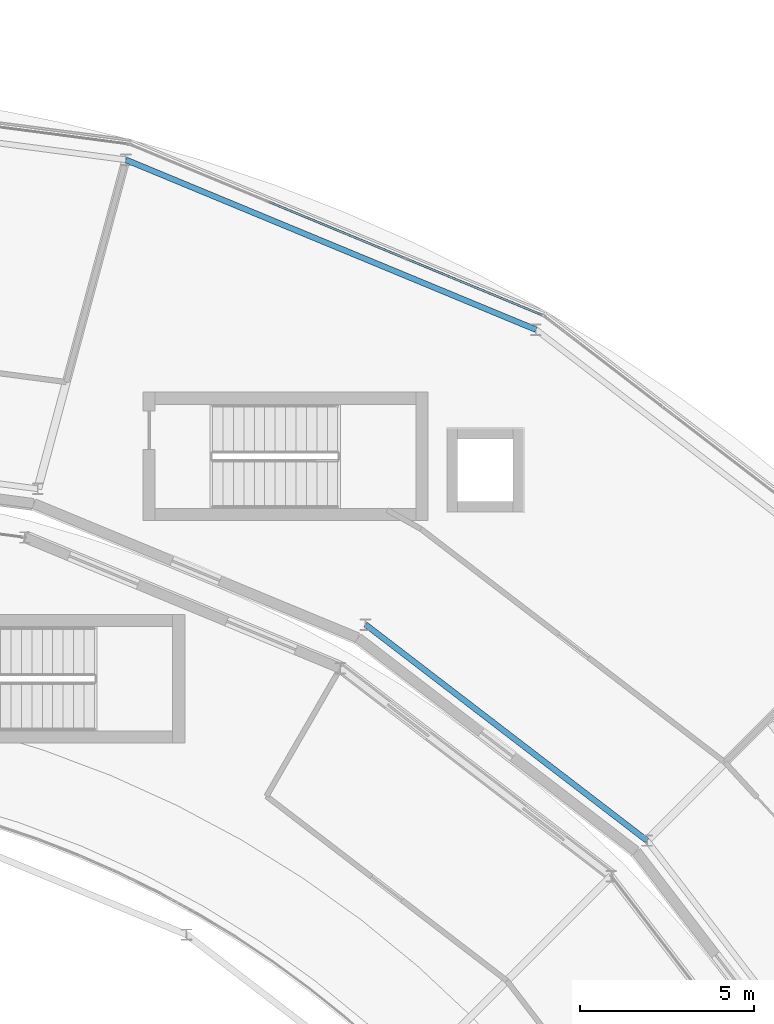
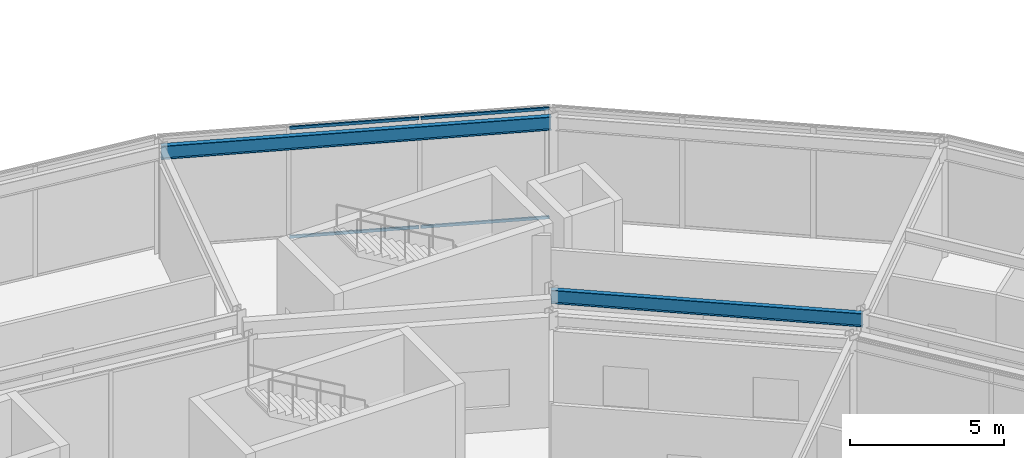
# One storey, part 72 of 133: 4 members, 2 beams, 1 element without a shape of its own.
"""IFC4 building model written with IfcOpenShell, lengths in metres."""

from ifc_helpers import new_model, si_unit, direction, frame, origin, origin_2d, place, context, subcontext, project, spatial, hollow_rectangle, i_section, extrude, material, material_profile, profile_set, type_object, element, aggregate, save


model = new_model("IFC4")

# Units and contexts
model_context = context("Model", 3, precision=1e-05, world=origin(), true_north=direction((0.0, 1.0)))
body_context = subcontext(model_context, "Body", "Model", "MODEL_VIEW")
ifc_project = project(units=[si_unit("LENGTHUNIT", "METRE"), si_unit("AREAUNIT", "SQUARE_METRE"), si_unit("VOLUMEUNIT", "CUBIC_METRE"), si_unit("PLANEANGLEUNIT", "RADIAN"), si_unit("MASSUNIT", "GRAM", prefix="KILO")], contexts=[model_context])

# Site, building, storey
site_placement = place(None, origin())
site = spatial("IfcSite", under=ifc_project, at=site_placement, CompositionType="ELEMENT")
building_placement = place(site_placement, origin())
building = spatial("IfcBuilding", under=site, at=building_placement, Name="Almandine Court Research Institute", CompositionType="ELEMENT")
storey_placement = place(building_placement, frame((0.0, 0.0, 9.800048828125)))
storey = spatial("IfcBuildingStorey", under=building, at=storey_placement, Name="L02", CompositionType="ELEMENT", Elevation=9.800048828125)

# Beams
ifc_material_1 = material(Name="Steel ASTM A992 Grade 50", Category="steel")
ifc_material_profile_1 = material_profile(ifc_material_1, i_section(OverallWidth=0.166015625, OverallDepth=0.534912109375, WebThickness=0.010009765625, FlangeThickness=0.01708984375, at=origin_2d()), Name="W530x85")
ifc_profile_set_1 = profile_set([ifc_material_profile_1], Name="Steel ASTM A992 Grade 50")
beam_type = type_object("IfcBeamType", Name="Beam-G-05-E", PredefinedType="SPANDREL", material=ifc_profile_set_1)
beam_1_placement = place(storey_placement, frame((114.64794921875, 83.64794921875, 4.10205078125), z_axis=(-0.793335653042, 0.608784478787, 0.0), x_axis=(-0.608784478787, -0.793335653042, 0.0)))
element("IfcBeam", 1, at=beam_1_placement, inside=storey, type_object=beam_type, Name="L02 Drum IN Ring Beam 03", PredefinedType="SPANDREL", context=body_context, shape_type="SweptSolid", body=[
    extrude(i_section(OverallWidth=0.166015625, OverallDepth=0.534912109375, WebThickness=0.010009765625, FlangeThickness=0.01708984375, at=origin_2d()), origin(), (0.0, 0.0, 1.0), 10.20751953125),
])
beam_2_placement = place(storey_placement, frame((111.449951171875, 98.34912109375, 4.10205078125), z_axis=(-0.923891897665, 0.382653578879, 0.0), x_axis=(-0.382653578879, -0.923891897665, 0.0)))
element("IfcBeam", 2, at=beam_2_placement, inside=storey, type_object=beam_type, Name="L02 Drum OUT Ring Beam 04", PredefinedType="SPANDREL", context=body_context, shape_type="SweptSolid", body=[
    extrude(i_section(OverallWidth=0.166015625, OverallDepth=0.534912109375, WebThickness=0.010009765625, FlangeThickness=0.01708984375, at=origin_2d()), origin(), (0.0, 0.0, 1.0), 12.765625),
])

# Curtain wall, members
ifc_material_2 = material(Name="Unitised Curtain Wall Framing and Solar Glazing", Category="glass")
curtain_wall_type = type_object("IfcCurtainWallType", Name="CW-CWG-20", PredefinedType="USERDEFINED", material=ifc_material_2)
curtain_wall_placement = place(storey_placement, origin())
curtain_wall = element("IfcCurtainWall", 3, at=curtain_wall_placement, inside=storey, type_object=curtain_wall_type, Name="L02 Stacked-Ring Drum Outer Unitised Glazing 04", ObjectType="UNITISED GLAZING", PredefinedType="USERDEFINED")
ifc_material_3 = material(Name="Anodised Aluminium AW-6063-T6", Category="aluminium")
ifc_material_profile_2 = material_profile(ifc_material_3, hollow_rectangle(XDim=0.06005859375, YDim=0.110107421875, WallThickness=0.00390625, at=origin_2d()), Name="ALU RHS 60x110x4")
ifc_profile_set_2 = profile_set([ifc_material_profile_2], Name="Anodised Aluminium AW-6063-T6")
member_type = type_object("IfcMemberType", Name="CWTrn-60x110", PredefinedType="NOTDEFINED", material=ifc_profile_set_2)
member_1_placement = place(storey_placement, frame((103.772705078125, 102.02294921875, 0.030029296875), z_axis=(0.92387693948, -0.382689692437, 0.0), x_axis=(0.382689692437, 0.92387693948, 0.0)))
member_1 = element("IfcMember", 4, at=member_1_placement, type_object=member_type, Name="CWG-20 transom 2.1", ObjectType="TRANSOM", PredefinedType="USERDEFINED", context=body_context, shape_type="SweptSolid", body=[
    extrude(hollow_rectangle(XDim=0.06005859375, YDim=0.110107421875, WallThickness=0.00390625, at=origin_2d()), origin(), (0.0, 0.0, 1.0), 4.23291015625),
])
member_2_placement = place(storey_placement, frame((103.772705078125, 102.02294921875, 4.33984375), z_axis=(0.92387693948, -0.382689692437, 0.0), x_axis=(0.382689692437, 0.92387693948, 0.0)))
member_2 = element("IfcMember", 5, at=member_2_placement, type_object=member_type, Name="CWG-20 transom 2.2", ObjectType="TRANSOM", PredefinedType="USERDEFINED", context=body_context, shape_type="SweptSolid", body=[
    extrude(hollow_rectangle(XDim=0.06005859375, YDim=0.110107421875, WallThickness=0.00390625, at=origin_2d()), origin(), (0.0, 0.0, 1.0), 4.23291015625),
])
member_3_placement = place(storey_placement, frame((107.73876953125, 100.380126953125, 0.030029296875), z_axis=(0.923892933282, -0.382651078441, 0.0), x_axis=(0.382651078441, 0.923892933282, 0.0)))
member_3 = element("IfcMember", 6, at=member_3_placement, type_object=member_type, Name="CWG-20 transom 3.1", ObjectType="TRANSOM", PredefinedType="USERDEFINED", context=body_context, shape_type="SweptSolid", body=[
    extrude(hollow_rectangle(XDim=0.06005859375, YDim=0.110107421875, WallThickness=0.00390625, at=origin_2d()), origin(), (0.0, 0.0, 1.0), 4.20263671875),
])
member_4_placement = place(storey_placement, frame((107.73876953125, 100.380126953125, 4.33984375), z_axis=(0.923892933282, -0.382651078441, 0.0), x_axis=(0.382651078441, 0.923892933282, 0.0)))
member_4 = element("IfcMember", 7, at=member_4_placement, type_object=member_type, Name="CWG-20 transom 3.2", ObjectType="TRANSOM", PredefinedType="USERDEFINED", context=body_context, shape_type="SweptSolid", body=[
    extrude(hollow_rectangle(XDim=0.06005859375, YDim=0.110107421875, WallThickness=0.00390625, at=origin_2d()), origin(), (0.0, 0.0, 1.0), 4.20263671875),
])
aggregate(curtain_wall, [member_1, member_2, member_3, member_4])

save(model, "model.ifc")
